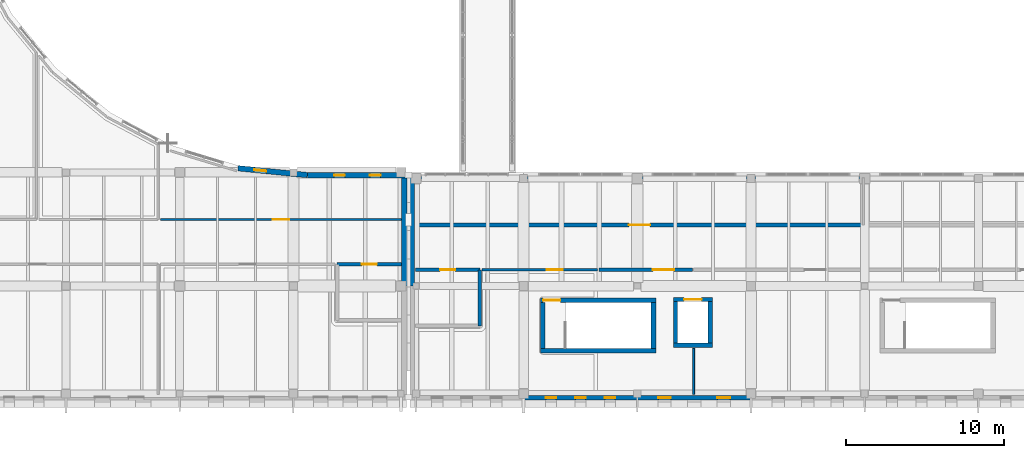
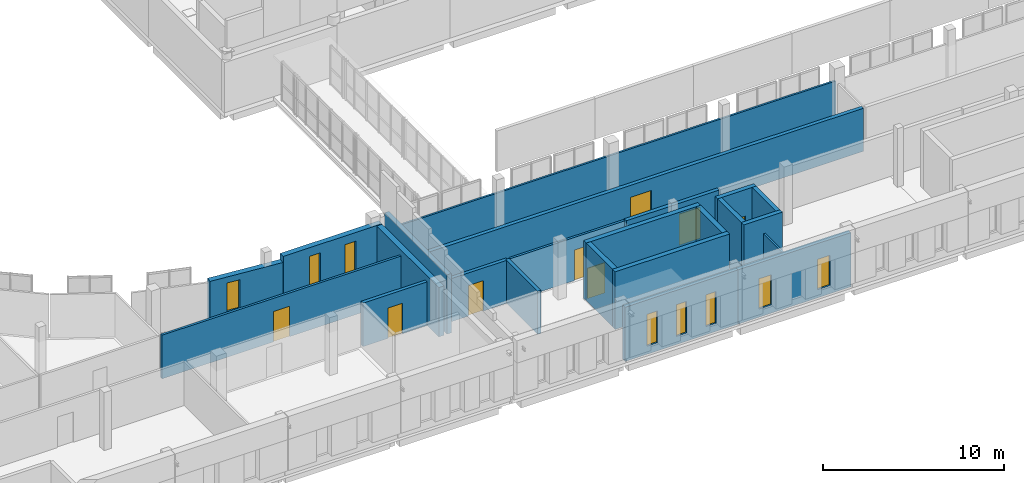
# One storey, part 51 of 76: 23 walls, 8 doors, 8 windows, 16 openings.
"""IFC4 building model written with IfcOpenShell, lengths in metres."""

from ifc_helpers import new_model, si_unit, direction, frame, frame_2d, origin, place, context, subcontext, project, spatial, rectangle, extrude, material, layer, layer_set, type_object, element, fill, save


model = new_model("IFC4")

# Units and contexts
model_context = context("Model", 3, precision=1e-05, world=origin(), true_north=direction((0.0, 1.0)))
body_context = subcontext(model_context, "Body", "Model", "MODEL_VIEW")
ifc_project = project(units=[si_unit("LENGTHUNIT", "METRE"), si_unit("AREAUNIT", "SQUARE_METRE"), si_unit("VOLUMEUNIT", "CUBIC_METRE"), si_unit("PLANEANGLEUNIT", "RADIAN"), si_unit("MASSUNIT", "GRAM", prefix="KILO")], contexts=[model_context])

# Site, building, storey
site_placement = place(None, origin())
site = spatial("IfcSite", under=ifc_project, at=site_placement, CompositionType="ELEMENT")
building_placement = place(site_placement, origin())
building = spatial("IfcBuilding", under=site, at=building_placement, Name="Vardoun Plaza Health Centre", CompositionType="ELEMENT")
storey_placement = place(building_placement, frame((0.0, 0.0, 4.5)))
storey = spatial("IfcBuildingStorey", under=building, at=storey_placement, Name="L01", CompositionType="ELEMENT", Elevation=4.5)

# Walls
ifc_material_1 = material(Name="Concrete C40/50", Category="concrete")
ifc_layer_1 = layer(ifc_material_1, 0.27001953125)
ifc_layer_set_1 = layer_set([ifc_layer_1], Name="Concrete C40/50")
wall_type_1 = type_object("IfcWallType", Name="SW-03", PredefinedType="SHEAR", material=ifc_layer_set_1)
wall_1_placement = place(storey_placement, frame((67.034912109375, 7.949951171875, 0.0), z_axis=(0.0, 0.0, 1.0), x_axis=(-1.0, 0.0, 0.0)))
element("IfcWall", 1, at=wall_1_placement, inside=storey, type_object=wall_type_1, Name="Lift LP-03 L01 Shaft Wall S", PredefinedType="SHEAR", context=body_context, shape_type="SweptSolid", body=[
    extrude(rectangle(XDim=2.469970703125, YDim=0.27001953125, at=frame_2d((1.23486328125, 0.0))), origin(), (0.0, 0.0, 1.0), 3.885009765625),
])
wall_2_placement = place(storey_placement, frame((64.699951171875, 8.0849609375, 0.0), z_axis=(0.0, 0.0, 1.0), x_axis=(0.0, 1.0, 0.0)))
element("IfcWall", 2, at=wall_2_placement, inside=storey, type_object=wall_type_1, Name="Lift LP-03 L01 Shaft Wall W", PredefinedType="SHEAR", context=body_context, shape_type="SweptSolid", body=[
    extrude(rectangle(XDim=2.630126953125, YDim=0.27001953125, at=frame_2d((1.31494140625, 0.0))), origin(), (0.0, 0.0, 1.0), 3.885009765625),
])

# Wall, opening, door
wall_3_placement = place(storey_placement, frame((64.56494140625, 10.85009765625, 0.0), z_axis=(0.0, 0.0, 1.0), x_axis=(1.0, 0.0, 0.0)))
wall_3 = element("IfcWall", 3, at=wall_3_placement, inside=storey, type_object=wall_type_1, Name="Lift LP-03 L01 Shaft Wall N", PredefinedType="SHEAR", context=body_context, shape_type="SweptSolid", body=[
    extrude(rectangle(XDim=2.469970703125, YDim=0.27001953125, at=frame_2d((1.23486328125, 0.0))), origin(), (0.0, 0.0, 1.0), 3.885009765625),
])
opening_1_placement = place(wall_3_placement, frame((0.675048828125, 0.0, 0.0)))
opening_1 = element("IfcOpeningElement", 4, at=opening_1_placement, cuts=wall_3, Name="Opening LD-LP-03-L01", PredefinedType="OPENING", context=body_context, shape_type="SweptSolid", body=[
    extrude(rectangle(XDim=1.1201171875, YDim=2.10009765625, at=frame_2d((0.56005859375, 1.050048828125))), frame((0.0, 0.135009765625, 0.0), z_axis=(0.0, -1.0, 0.0), x_axis=(1.0, 0.0, 0.0)), (0.0, 0.0, 1.0), 0.27001953125),
])
ifc_material_2 = material(Name="Brushed Stainless Steel Grade 316L", Category="steel")
door_type_1 = type_object("IfcDoorType", Name="LD-01", OperationType="DOUBLE_DOOR_SLIDING", PredefinedType="DOOR", material=ifc_material_2)
door_1_placement = place(opening_1_placement, origin())
door_1 = element("IfcDoor", 5, at=door_1_placement, inside=storey, type_object=door_type_1, Name="Lift LP-03 L01 Sliding Landing Door", OperationType="DOUBLE_DOOR_SLIDING", OverallHeight=2.10009765625, OverallWidth=1.1201171875, PredefinedType="DOOR", context=body_context, shape_type="SweptSolid", body=[
    extrude(rectangle(XDim=1.1201171875, YDim=2.10009765625, at=frame_2d((0.56005859375, 1.050048828125))), frame((0.0, 0.02490234375, 0.0), z_axis=(0.0, -1.0, 0.0), x_axis=(1.0, 0.0, 0.0)), (0.0, 0.0, 1.0), 0.050048828125),
])
fill(opening_1, door_1)

# Walls
wall_4_placement = place(storey_placement, frame((66.89990234375, 10.715087890625, 0.0), z_axis=(0.0, 0.0, 1.0), x_axis=(0.0, -1.0, 0.0)))
element("IfcWall", 6, at=wall_4_placement, inside=storey, type_object=wall_type_1, Name="Lift LP-03 L01 Shaft Wall E", PredefinedType="SHEAR", context=body_context, shape_type="SweptSolid", body=[
    extrude(rectangle(XDim=2.630126953125, YDim=0.27001953125, at=frame_2d((1.31494140625, 0.0))), origin(), (0.0, 0.0, 1.0), 3.885009765625),
])
ifc_material_3 = material(Name="Concrete C40/50", Category="concrete")
ifc_layer_2 = layer(ifc_material_3, 0.300048828125)
ifc_layer_set_2 = layer_set([ifc_layer_2], Name="Concrete C40/50")
wall_type_2 = type_object("IfcWallType", Name="SW-01", PredefinedType="SHEAR", material=ifc_layer_set_2)
wall_5_placement = place(storey_placement, frame((63.449951171875, 7.60009765625, 0.0), z_axis=(0.0, 0.0, 1.0), x_axis=(-1.0, 0.0, 0.0)))
element("IfcWall", 7, at=wall_5_placement, inside=storey, type_object=wall_type_2, Name="Core C6 L01 Shear Wall S", PredefinedType="SHEAR", context=body_context, shape_type="SweptSolid", body=[
    extrude(rectangle(XDim=7.300048828125, YDim=0.300048828125, at=frame_2d((3.64990234375, 0.0))), origin(), (0.0, 0.0, 1.0), 3.885009765625),
])
wall_6_placement = place(storey_placement, frame((56.300048828125, 7.75, 0.0), z_axis=(0.0, 0.0, 1.0), x_axis=(0.0, 1.0, 0.0)))
element("IfcWall", 8, at=wall_6_placement, inside=storey, type_object=wall_type_2, Name="Core C6 L01 Shear Wall W", PredefinedType="SHEAR", context=body_context, shape_type="SweptSolid", body=[
    extrude(rectangle(XDim=2.89990234375, YDim=0.300048828125, at=frame_2d((1.449951171875, 0.0))), origin(), (0.0, 0.0, 1.0), 3.885009765625),
])

# Wall, opening, door
wall_7_placement = place(storey_placement, frame((56.14990234375, 10.800048828125, 0.0), z_axis=(0.0, 0.0, 1.0), x_axis=(1.0, 0.0, 0.0)))
wall_7 = element("IfcWall", 9, at=wall_7_placement, inside=storey, type_object=wall_type_2, Name="Core C6 L01 Shear Wall N", PredefinedType="SHEAR", context=body_context, shape_type="SweptSolid", body=[
    extrude(rectangle(XDim=7.300048828125, YDim=0.300048828125, at=frame_2d((3.64990234375, 0.0))), origin(), (0.0, 0.0, 1.0), 3.885009765625),
])
opening_2_placement = place(wall_7_placement, frame((0.159912109375, 0.0, 0.0)))
opening_2 = element("IfcOpeningElement", 10, at=opening_2_placement, cuts=wall_7, Name="Opening SD-C6-L01", PredefinedType="OPENING", context=body_context, shape_type="SweptSolid", body=[
    extrude(rectangle(XDim=1.10009765625, YDim=2.050048828125, at=frame_2d((0.550048828125, 1.02490234375))), frame((0.0, 0.14990234375, 0.0), z_axis=(0.0, -1.0, 0.0), x_axis=(1.0, 0.0, 0.0)), (0.0, 0.0, 1.0), 0.300048828125),
])
ifc_material_4 = material(Name="Brushed Stainless Steel Grade 316L", Category="steel")
door_type_2 = type_object("IfcDoorType", Name="FD-01", OperationType="NOTDEFINED", PredefinedType="DOOR", material=ifc_material_4)
door_2_placement = place(opening_2_placement, origin())
door_2 = element("IfcDoor", 11, at=door_2_placement, inside=storey, type_object=door_type_2, Name="Stair C6 L01 Fire Door", OperationType="SINGLE_SWING_RIGHT", OverallHeight=2.050048828125, OverallWidth=1.10009765625, PredefinedType="DOOR", context=body_context, shape_type="SweptSolid", body=[
    extrude(rectangle(XDim=1.10009765625, YDim=2.050048828125, at=frame_2d((0.550048828125, 1.02490234375))), frame((0.0, 0.02490234375, 0.0), z_axis=(0.0, -1.0, 0.0), x_axis=(1.0, 0.0, 0.0)), (0.0, 0.0, 1.0), 0.050048828125),
])
fill(opening_2, door_2)

# Wall
wall_8_placement = place(storey_placement, frame((63.300048828125, 10.64990234375, 0.0), z_axis=(0.0, 0.0, 1.0), x_axis=(0.0, -1.0, 0.0)))
element("IfcWall", 12, at=wall_8_placement, inside=storey, type_object=wall_type_2, Name="Core C6 L01 Shear Wall E", PredefinedType="SHEAR", context=body_context, shape_type="SweptSolid", body=[
    extrude(rectangle(XDim=2.89990234375, YDim=0.300048828125, at=frame_2d((1.449951171875, 0.0))), origin(), (0.0, 0.0, 1.0), 3.885009765625),
])

# Wall, openings, windows
ifc_material_5 = material(Name="Pale Limestone Concrete C35/45", Category="masonry")
ifc_layer_3 = layer(ifc_material_5, 0.280029296875)
ifc_layer_set_3 = layer_set([ifc_layer_3], Name="Pale Limestone Concrete C35/45")
wall_type_3 = type_object("IfcWallType", Name="EW-05", PredefinedType="STANDARD", material=ifc_layer_set_3)
wall_9_placement = place(storey_placement, frame((69.47998046875, 4.639892578125, 0.0), z_axis=(0.0, 0.0, 1.0), x_axis=(-1.0, 0.0, 0.0)))
wall_9 = element("IfcWall", 13, at=wall_9_placement, inside=storey, type_object=wall_type_3, Name="V4 L01 Exterior Wall EW-V4-343", PredefinedType="STANDARD", context=body_context, shape_type="SweptSolid", body=[
    extrude(rectangle(XDim=7.199951171875, YDim=0.280029296875, at=frame_2d((3.60009765625, 0.0))), origin(), (0.0, 0.0, 1.0), 3.65576171875),
])
opening_3_placement = place(wall_9_placement, frame((1.327880859375, 0.0, 0.550048828125)))
opening_3 = element("IfcOpeningElement", 14, at=opening_3_placement, cuts=wall_9, Name="Opening W-24-007", PredefinedType="OPENING", context=body_context, shape_type="SweptSolid", body=[
    extrude(rectangle(XDim=0.800048828125, YDim=2.0400390625, at=frame_2d((0.39990234375, 1.02001953125))), frame((0.0, 0.14013671875, 0.0), z_axis=(0.0, -1.0, 0.0), x_axis=(1.0, 0.0, 0.0)), (0.0, 0.0, 1.0), 0.280029296875),
])
opening_4_placement = place(wall_9_placement, frame((5.072021484375, 0.0, 0.550048828125)))
opening_4 = element("IfcOpeningElement", 15, at=opening_4_placement, cuts=wall_9, Name="Opening W-24-008", PredefinedType="OPENING", context=body_context, shape_type="SweptSolid", body=[
    extrude(rectangle(XDim=0.800048828125, YDim=2.0400390625, at=frame_2d((0.39990234375, 1.02001953125))), frame((0.0, 0.14013671875, 0.0), z_axis=(0.0, -1.0, 0.0), x_axis=(1.0, 0.0, 0.0)), (0.0, 0.0, 1.0), 0.280029296875),
])
ifc_material_6 = material(Name="Aluminium Alloy EN AW-6063-T6 and Low-E Glass", Category="aluminium")
window_type_1 = type_object("IfcWindowType", Name="W-24", PartitioningType="SINGLE_PANEL", PredefinedType="WINDOW", material=ifc_material_6)
window_1_placement = place(opening_3_placement, origin())
window_1 = element("IfcWindow", 16, at=window_1_placement, inside=storey, type_object=window_type_1, Name="V4 L01 Deep-Punched Slot Window W-24-536", OverallHeight=2.0400390625, OverallWidth=0.800048828125, PartitioningType="SINGLE_PANEL", PredefinedType="WINDOW", context=body_context, shape_type="SweptSolid", body=[
    extrude(rectangle(XDim=0.800048828125, YDim=2.0400390625, at=frame_2d((0.39990234375, 1.02001953125))), frame((0.0, 0.030029296875, 0.0), z_axis=(0.0, -1.0, 0.0), x_axis=(1.0, 0.0, 0.0)), (0.0, 0.0, 1.0), 0.06005859375),
])
fill(opening_3, window_1)
window_2_placement = place(opening_4_placement, origin())
window_2 = element("IfcWindow", 17, at=window_2_placement, inside=storey, type_object=window_type_1, Name="V4 L01 Deep-Punched Slot Window W-24-538", OverallHeight=2.0400390625, OverallWidth=0.800048828125, PartitioningType="SINGLE_PANEL", PredefinedType="WINDOW", context=body_context, shape_type="SweptSolid", body=[
    extrude(rectangle(XDim=0.800048828125, YDim=2.0400390625, at=frame_2d((0.39990234375, 1.02001953125))), frame((0.0, 0.030029296875, 0.0), z_axis=(0.0, -1.0, 0.0), x_axis=(1.0, 0.0, 0.0)), (0.0, 0.0, 1.0), 0.06005859375),
])
fill(opening_4, window_2)

wall_10_placement = place(storey_placement, frame((62.280029296875, 4.639892578125, 0.0), z_axis=(0.0, 0.0, 1.0), x_axis=(-1.0, 0.0, 0.0)))
wall_10 = element("IfcWall", 18, at=wall_10_placement, inside=storey, type_object=wall_type_3, Name="V4 L01 Exterior Wall EW-V4-344", PredefinedType="STANDARD", context=body_context, shape_type="SweptSolid", body=[
    extrude(rectangle(XDim=7.199951171875, YDim=0.280029296875, at=frame_2d((3.60009765625, 0.0))), origin(), (0.0, 0.0, 1.0), 3.65576171875),
])
opening_5_placement = place(wall_10_placement, frame((1.403076171875, 0.0, 0.550048828125)))
opening_5 = element("IfcOpeningElement", 19, at=opening_5_placement, cuts=wall_10, Name="Opening W-31-013", PredefinedType="OPENING", context=body_context, shape_type="SweptSolid", body=[
    extrude(rectangle(XDim=0.64990234375, YDim=2.139892578125, at=frame_2d((0.324951171875, 1.06982421875))), frame((0.0, 0.14013671875, 0.0), z_axis=(0.0, -1.0, 0.0), x_axis=(1.0, 0.0, 0.0)), (0.0, 0.0, 1.0), 0.280029296875),
])
opening_6_placement = place(wall_10_placement, frame((3.27490234375, 0.0, 0.550048828125)))
opening_6 = element("IfcOpeningElement", 20, at=opening_6_placement, cuts=wall_10, Name="Opening W-31-014", PredefinedType="OPENING", context=body_context, shape_type="SweptSolid", body=[
    extrude(rectangle(XDim=0.64990234375, YDim=2.139892578125, at=frame_2d((0.324951171875, 1.06982421875))), frame((0.0, 0.14013671875, 0.0), z_axis=(0.0, -1.0, 0.0), x_axis=(1.0, 0.0, 0.0)), (0.0, 0.0, 1.0), 0.280029296875),
])
opening_7_placement = place(wall_10_placement, frame((5.14697265625, 0.0, 0.550048828125)))
opening_7 = element("IfcOpeningElement", 21, at=opening_7_placement, cuts=wall_10, Name="Opening W-31-015", PredefinedType="OPENING", context=body_context, shape_type="SweptSolid", body=[
    extrude(rectangle(XDim=0.64990234375, YDim=2.139892578125, at=frame_2d((0.324951171875, 1.06982421875))), frame((0.0, 0.14013671875, 0.0), z_axis=(0.0, -1.0, 0.0), x_axis=(1.0, 0.0, 0.0)), (0.0, 0.0, 1.0), 0.280029296875),
])
ifc_material_7 = material(Name="Aluminium Alloy EN AW-6063-T6 and Low-E Glass", Category="aluminium")
window_type_2 = type_object("IfcWindowType", Name="W-31", PartitioningType="SINGLE_PANEL", PredefinedType="WINDOW", material=ifc_material_7)
window_3_placement = place(opening_5_placement, origin())
window_3 = element("IfcWindow", 22, at=window_3_placement, inside=storey, type_object=window_type_2, Name="V4 L01 Deep-Punched Slot Window W-31-539", OverallHeight=2.139892578125, OverallWidth=0.64990234375, PartitioningType="SINGLE_PANEL", PredefinedType="WINDOW", context=body_context, shape_type="SweptSolid", body=[
    extrude(rectangle(XDim=0.64990234375, YDim=2.139892578125, at=frame_2d((0.324951171875, 1.06982421875))), frame((0.0, 0.030029296875, 0.0), z_axis=(0.0, -1.0, 0.0), x_axis=(1.0, 0.0, 0.0)), (0.0, 0.0, 1.0), 0.06005859375),
])
fill(opening_5, window_3)
window_4_placement = place(opening_6_placement, origin())
window_4 = element("IfcWindow", 23, at=window_4_placement, inside=storey, type_object=window_type_2, Name="V4 L01 Deep-Punched Slot Window W-31-540", OverallHeight=2.139892578125, OverallWidth=0.64990234375, PartitioningType="SINGLE_PANEL", PredefinedType="WINDOW", context=body_context, shape_type="SweptSolid", body=[
    extrude(rectangle(XDim=0.64990234375, YDim=2.139892578125, at=frame_2d((0.324951171875, 1.06982421875))), frame((0.0, 0.030029296875, 0.0), z_axis=(0.0, -1.0, 0.0), x_axis=(1.0, 0.0, 0.0)), (0.0, 0.0, 1.0), 0.06005859375),
])
fill(opening_6, window_4)
window_5_placement = place(opening_7_placement, origin())
window_5 = element("IfcWindow", 24, at=window_5_placement, inside=storey, type_object=window_type_2, Name="V4 L01 Deep-Punched Slot Window W-31-541", OverallHeight=2.139892578125, OverallWidth=0.64990234375, PartitioningType="SINGLE_PANEL", PredefinedType="WINDOW", context=body_context, shape_type="SweptSolid", body=[
    extrude(rectangle(XDim=0.64990234375, YDim=2.139892578125, at=frame_2d((0.324951171875, 1.06982421875))), frame((0.0, 0.030029296875, 0.0), z_axis=(0.0, -1.0, 0.0), x_axis=(1.0, 0.0, 0.0)), (0.0, 0.0, 1.0), 0.06005859375),
])
fill(opening_7, window_5)

# Wall
wall_11_placement = place(storey_placement, frame((48.02001953125, 11.699951171875, 0.0), z_axis=(0.0, 0.0, 1.0), x_axis=(0.0, 1.0, 0.0)))
element("IfcWall", 25, at=wall_11_placement, inside=storey, type_object=wall_type_3, Name="V4 L01 Exterior Wall EW-V4-347", PredefinedType="STANDARD", context=body_context, shape_type="SweptSolid", body=[
    extrude(rectangle(XDim=6.920166015625, YDim=0.280029296875, at=frame_2d((3.4599609375, 0.0))), origin(), (0.0, 0.0, 1.0), 3.9951171875),
])

# Wall, opening, window
ifc_material_8 = material(Name="Pale Limestone Concrete C35/45", Category="masonry")
ifc_layer_4 = layer(ifc_material_8, 0.344970703125)
ifc_layer_set_4 = layer_set([ifc_layer_4], Name="Pale Limestone Concrete C35/45")
wall_type_4 = type_object("IfcWallType", Name="EW-01", PredefinedType="SOLIDWALL", material=ifc_layer_set_4)
wall_12_placement = place(storey_placement, frame((36.99365234375, 19.16064453125, 0.0), z_axis=(0.0, 0.0, 1.0), x_axis=(0.995183522218, -0.098029368588, 0.0)))
wall_12 = element("IfcWall", 26, at=wall_12_placement, inside=storey, type_object=wall_type_4, Name="V2 L01 Exterior Wall EW-V2-107", PredefinedType="SOLIDWALL", context=body_context, shape_type="SweptSolid", body=[
    extrude(rectangle(XDim=4.41064453125, YDim=0.344970703125, at=frame_2d((2.205322265625, 0.0))), origin(), (0.0, 0.0, 1.0), 2.955078125),
])
opening_8_placement = place(wall_12_placement, frame((1.021484375, 0.0, 0.60009765625)))
opening_8 = element("IfcOpeningElement", 27, at=opening_8_placement, cuts=wall_12, Name="Opening W-30-007", PredefinedType="OPENING", context=body_context, shape_type="SweptSolid", body=[
    extrude(rectangle(XDim=0.780029296875, YDim=1.949951171875, at=frame_2d((0.39013671875, 0.97509765625))), frame((0.0, 0.17236328125, 0.0), z_axis=(0.0, -1.0, 0.0), x_axis=(1.0, 0.0, 0.0)), (0.0, 0.0, 1.0), 0.344970703125),
])
ifc_material_9 = material(Name="Aluminium Alloy EN AW-6063-T6 and Low-E Glass", Category="aluminium")
window_type_3 = type_object("IfcWindowType", Name="W-30", PartitioningType="SINGLE_PANEL", PredefinedType="WINDOW", material=ifc_material_9)
window_6_placement = place(opening_8_placement, origin())
window_6 = element("IfcWindow", 28, at=window_6_placement, inside=storey, type_object=window_type_3, Name="V2 L01 Deep-Punched Slot Window W-30-063", OverallHeight=1.949951171875, OverallWidth=0.780029296875, PartitioningType="SINGLE_PANEL", PredefinedType="WINDOW", context=body_context, shape_type="SweptSolid", body=[
    extrude(rectangle(XDim=0.780029296875, YDim=1.949951171875, at=frame_2d((0.39013671875, 0.97509765625))), frame((0.0, 0.030029296875, 0.0), z_axis=(0.0, -1.0, 0.0), x_axis=(1.0, 0.0, 0.0)), (0.0, 0.0, 1.0), 0.06005859375),
])
fill(opening_8, window_6)

# Wall, openings, windows
wall_13_placement = place(storey_placement, frame((41.39990234375, 18.7275390625, 0.0), z_axis=(0.0, 0.0, 1.0), x_axis=(1.0, 0.0, 0.0)))
wall_13 = element("IfcWall", 29, at=wall_13_placement, inside=storey, type_object=wall_type_4, Name="V2 L01 Exterior Wall EW-V2-108", PredefinedType="SOLIDWALL", context=body_context, shape_type="SweptSolid", body=[
    extrude(rectangle(XDim=6.300048828125, YDim=0.344970703125, at=frame_2d((3.14990234375, 0.0))), origin(), (0.0, 0.0, 1.0), 3.35498046875),
])
opening_9_placement = place(wall_13_placement, frame((1.676025390625, 0.0, 0.550048828125)))
opening_9 = element("IfcOpeningElement", 30, at=opening_9_placement, cuts=wall_13, Name="Opening W-13-001", PredefinedType="OPENING", context=body_context, shape_type="SweptSolid", body=[
    extrude(rectangle(XDim=0.679931640625, YDim=2.219970703125, at=frame_2d((0.33984375, 1.10986328125))), frame((0.0, 0.17236328125, 0.0), z_axis=(0.0, -1.0, 0.0), x_axis=(1.0, 0.0, 0.0)), (0.0, 0.0, 1.0), 0.344970703125),
])
opening_10_placement = place(wall_13_placement, frame((3.944091796875, 0.0, 0.550048828125)))
opening_10 = element("IfcOpeningElement", 31, at=opening_10_placement, cuts=wall_13, Name="Opening W-13-002", PredefinedType="OPENING", context=body_context, shape_type="SweptSolid", body=[
    extrude(rectangle(XDim=0.679931640625, YDim=2.219970703125, at=frame_2d((0.33984375, 1.10986328125))), frame((0.0, 0.17236328125, 0.0), z_axis=(0.0, -1.0, 0.0), x_axis=(1.0, 0.0, 0.0)), (0.0, 0.0, 1.0), 0.344970703125),
])
ifc_material_10 = material(Name="Aluminium Alloy EN AW-6063-T6 and Low-E Glass", Category="aluminium")
window_type_4 = type_object("IfcWindowType", Name="W-13", PartitioningType="SINGLE_PANEL", PredefinedType="WINDOW", material=ifc_material_10)
window_7_placement = place(opening_9_placement, origin())
window_7 = element("IfcWindow", 32, at=window_7_placement, inside=storey, type_object=window_type_4, Name="V2 L01 Deep-Punched Slot Window W-13-064", OverallHeight=2.219970703125, OverallWidth=0.679931640625, PartitioningType="SINGLE_PANEL", PredefinedType="WINDOW", context=body_context, shape_type="SweptSolid", body=[
    extrude(rectangle(XDim=0.679931640625, YDim=2.219970703125, at=frame_2d((0.33984375, 1.10986328125))), frame((0.0, 0.030029296875, 0.0), z_axis=(0.0, -1.0, 0.0), x_axis=(1.0, 0.0, 0.0)), (0.0, 0.0, 1.0), 0.06005859375),
])
fill(opening_9, window_7)
window_8_placement = place(opening_10_placement, origin())
window_8 = element("IfcWindow", 33, at=window_8_placement, inside=storey, type_object=window_type_4, Name="V2 L01 Deep-Punched Slot Window W-13-065", OverallHeight=2.219970703125, OverallWidth=0.679931640625, PartitioningType="SINGLE_PANEL", PredefinedType="WINDOW", context=body_context, shape_type="SweptSolid", body=[
    extrude(rectangle(XDim=0.679931640625, YDim=2.219970703125, at=frame_2d((0.33984375, 1.10986328125))), frame((0.0, 0.030029296875, 0.0), z_axis=(0.0, -1.0, 0.0), x_axis=(1.0, 0.0, 0.0)), (0.0, 0.0, 1.0), 0.06005859375),
])
fill(opening_10, window_8)

# Wall
wall_14_placement = place(storey_placement, frame((47.527587890625, 18.554931640625, 0.0), z_axis=(0.0, 0.0, 1.0), x_axis=(0.0, -1.0, 0.0)))
element("IfcWall", 34, at=wall_14_placement, inside=storey, type_object=wall_type_4, Name="V2 L01 Exterior Wall EW-V2-109", PredefinedType="SOLIDWALL", context=body_context, shape_type="SweptSolid", body=[
    extrude(rectangle(XDim=6.85498046875, YDim=0.344970703125, at=frame_2d((3.427490234375, 0.0))), origin(), (0.0, 0.0, 1.0), 3.324951171875),
])

# Wall, opening, door
ifc_material_11 = material(Name="Acoustic Gypsum Twin-Stud", Category="steel")
ifc_layer_5 = layer(ifc_material_11, 0.14990234375)
ifc_layer_set_5 = layer_set([ifc_layer_5], Name="Acoustic Gypsum Twin-Stud")
wall_type_5 = type_object("IfcWallType", Name="IW-04", PredefinedType="PARTITIONING", material=ifc_layer_set_5)
wall_15_placement = place(storey_placement, frame((47.35009765625, 15.919921875, 0.0), z_axis=(0.0, 0.0, 1.0), x_axis=(-1.0, 0.0, 0.0)))
wall_15 = element("IfcWall", 35, at=wall_15_placement, inside=storey, type_object=wall_type_5, Name="Outpatient Waiting Lounge L01 Partition Wall", PredefinedType="PARTITIONING", context=body_context, shape_type="SweptSolid", body=[
    extrude(rectangle(XDim=15.260009765625, YDim=0.14990234375, at=frame_2d((7.6298828125, 0.0))), origin(), (0.0, 0.0, 1.0), 2.93994140625),
])
opening_11_placement = place(wall_15_placement, frame((7.110107421875, 0.0, 0.0)))
opening_11 = element("IfcOpeningElement", 36, at=opening_11_placement, cuts=wall_15, Name="Opening D-L01-043", PredefinedType="OPENING", context=body_context, shape_type="SweptSolid", body=[
    extrude(rectangle(XDim=1.0400390625, YDim=2.050048828125, at=frame_2d((0.52001953125, 1.02490234375))), frame((0.0, 0.074951171875, 0.0), z_axis=(0.0, -1.0, 0.0), x_axis=(1.0, 0.0, 0.0)), (0.0, 0.0, 1.0), 0.14990234375),
])
ifc_material_12 = material(Name="Antimicrobial Acoustic Timber and Steel S275JR", Category="steel")
door_type_3 = type_object("IfcDoorType", Name="CD-04", OperationType="NOTDEFINED", PredefinedType="DOOR", material=ifc_material_12)
door_3_placement = place(opening_11_placement, origin())
door_3 = element("IfcDoor", 37, at=door_3_placement, inside=storey, type_object=door_type_3, Name="Outpatient Waiting Lounge L01 Door D-L01-043", OperationType="SINGLE_SWING_LEFT", OverallHeight=2.050048828125, OverallWidth=1.0400390625, PredefinedType="DOOR", context=body_context, shape_type="SweptSolid", body=[
    extrude(rectangle(XDim=1.0400390625, YDim=2.050048828125, at=frame_2d((0.52001953125, 1.02490234375))), frame((0.0, 0.02490234375, 0.0), z_axis=(0.0, -1.0, 0.0), x_axis=(1.0, 0.0, 0.0)), (0.0, 0.0, 1.0), 0.050048828125),
])
fill(opening_11, door_3)

wall_16_placement = place(storey_placement, frame((52.45361328125, 12.72998046875, 0.0), z_axis=(0.0, 0.0, 1.0), x_axis=(1.0, 0.0, 0.0)))
wall_16 = element("IfcWall", 38, at=wall_16_placement, inside=storey, type_object=wall_type_5, Name="Laboratory Waiting Area Partition Wall", PredefinedType="PARTITIONING", context=body_context, shape_type="SweptSolid", body=[
    extrude(rectangle(XDim=7.306396484375, YDim=0.14990234375, at=frame_2d((3.6533203125, 0.0))), origin(), (0.0, 0.0, 1.0), 2.905029296875),
])
opening_12_placement = place(wall_16_placement, frame((4.09912109375, 0.0, 0.0)))
opening_12 = element("IfcOpeningElement", 39, at=opening_12_placement, cuts=wall_16, Name="Opening D-L01-129", PredefinedType="OPENING", context=body_context, shape_type="SweptSolid", body=[
    extrude(rectangle(XDim=1.0, YDim=2.050048828125, at=frame_2d((0.5, 1.02490234375))), frame((0.0, 0.074951171875, 0.0), z_axis=(0.0, -1.0, 0.0), x_axis=(1.0, 0.0, 0.0)), (0.0, 0.0, 1.0), 0.14990234375),
])
ifc_material_13 = material(Name="Antimicrobial Acoustic Timber and Steel S275JR", Category="steel")
door_type_4 = type_object("IfcDoorType", Name="CD-03", OperationType="NOTDEFINED", PredefinedType="DOOR", material=ifc_material_13)
door_4_placement = place(opening_12_placement, origin())
door_4 = element("IfcDoor", 40, at=door_4_placement, inside=storey, type_object=door_type_4, Name="Laboratory Waiting Area Door D-L01-129", OperationType="SINGLE_SWING_RIGHT", OverallHeight=2.050048828125, OverallWidth=1.0, PredefinedType="DOOR", context=body_context, shape_type="SweptSolid", body=[
    extrude(rectangle(XDim=1.0, YDim=2.050048828125, at=frame_2d((0.5, 1.02490234375))), frame((0.0, 0.02490234375, 0.0), z_axis=(0.0, -1.0, 0.0), x_axis=(1.0, 0.0, 0.0)), (0.0, 0.0, 1.0), 0.050048828125),
])
fill(opening_12, door_4)

# Walls
ifc_material_14 = material(Name="Standard Clinical Sub-Partition", Category="steel")
ifc_layer_6 = layer(ifc_material_14, 0.125)
ifc_layer_set_6 = layer_set([ifc_layer_6], Name="Standard Clinical Sub-Partition")
wall_type_6 = type_object("IfcWallType", Name="IW-11", PredefinedType="PARTITIONING", material=ifc_layer_set_6)
wall_17_placement = place(storey_placement, frame((65.840087890625, 4.85009765625, 0.0), z_axis=(0.0, 0.0, 1.0), x_axis=(0.0, 1.0, 0.0)))
element("IfcWall", 41, at=wall_17_placement, inside=storey, type_object=wall_type_6, Name="Clinical Pathology Laboratory Enclosure Partition", PredefinedType="PARTITIONING", context=body_context, shape_type="SweptSolid", body=[
    extrude(rectangle(XDim=2.89990234375, YDim=0.125, at=frame_2d((1.449951171875, 0.0))), origin(), (0.0, 0.0, 1.0), 2.905029296875),
])
wall_18_placement = place(storey_placement, frame((48.22998046875, 18.550048828125, 0.0), z_axis=(0.0, 0.0, 1.0), x_axis=(1.0, 0.0, 0.0)))
element("IfcWall", 42, at=wall_18_placement, inside=storey, type_object=wall_type_6, Name="Microbiology Specimen Room Enclosure Partition", PredefinedType="PARTITIONING", context=body_context, shape_type="SweptSolid", body=[
    extrude(rectangle(XDim=28.3701171875, YDim=0.125, at=frame_2d((14.18505859375, 0.0))), origin(), (0.0, 0.0, 1.0), 2.905029296875),
])

# Wall, opening, door
ifc_material_15 = material(Name="Moisture-Resistant Plumbing Chase", Category="steel")
ifc_layer_7 = layer(ifc_material_15, 0.215087890625)
ifc_layer_set_7 = layer_set([ifc_layer_7], Name="Moisture-Resistant Plumbing Chase")
wall_type_7 = type_object("IfcWallType", Name="IW-06", PredefinedType="PLUMBINGWALL", material=ifc_layer_set_7)
wall_19_placement = place(storey_placement, frame((43.2666015625, 13.080078125, 0.0), z_axis=(0.0, 0.0, 1.0), x_axis=(1.0, 0.0, 0.0)))
wall_19 = element("IfcWall", 43, at=wall_19_placement, inside=storey, type_object=wall_type_7, Name="Staff WC L01-V2 Partition Wall", PredefinedType="PLUMBINGWALL", context=body_context, shape_type="SweptSolid", body=[
    extrude(rectangle(XDim=4.08349609375, YDim=0.215087890625, at=frame_2d((2.041748046875, 0.0))), origin(), (0.0, 0.0, 1.0), 2.93994140625),
])
opening_13_placement = place(wall_19_placement, frame((1.56689453125, 0.0, 0.0)))
opening_13 = element("IfcOpeningElement", 44, at=opening_13_placement, cuts=wall_19, Name="Opening D-L01-035", PredefinedType="OPENING", context=body_context, shape_type="SweptSolid", body=[
    extrude(rectangle(XDim=0.949951171875, YDim=2.050048828125, at=frame_2d((0.47509765625, 1.02490234375))), frame((0.0, 0.107421875, 0.0), z_axis=(0.0, -1.0, 0.0), x_axis=(1.0, 0.0, 0.0)), (0.0, 0.0, 1.0), 0.215087890625),
])
ifc_material_16 = material(Name="Antimicrobial Acoustic Timber and Steel S275JR", Category="steel")
door_type_5 = type_object("IfcDoorType", Name="CD-07", OperationType="NOTDEFINED", PredefinedType="DOOR", material=ifc_material_16)
door_5_placement = place(opening_13_placement, origin())
door_5 = element("IfcDoor", 45, at=door_5_placement, inside=storey, type_object=door_type_5, Name="Staff WC L01-V2 Door D-L01-035", OperationType="SINGLE_SWING_LEFT", OverallHeight=2.050048828125, OverallWidth=0.949951171875, PredefinedType="DOOR", context=body_context, shape_type="SweptSolid", body=[
    extrude(rectangle(XDim=0.949951171875, YDim=2.050048828125, at=frame_2d((0.47509765625, 1.02490234375))), frame((0.0, 0.02490234375, 0.0), z_axis=(0.0, -1.0, 0.0), x_axis=(1.0, 0.0, 0.0)), (0.0, 0.0, 1.0), 0.050048828125),
])
fill(opening_13, door_5)

wall_20_placement = place(storey_placement, frame((48.22998046875, 12.72998046875, 0.0), z_axis=(0.0, 0.0, 1.0), x_axis=(1.0, 0.0, 0.0)))
wall_20 = element("IfcWall", 46, at=wall_20_placement, inside=storey, type_object=wall_type_7, Name="Accessible WC L01-V4 Partition Wall", PredefinedType="PLUMBINGWALL", context=body_context, shape_type="SweptSolid", body=[
    extrude(rectangle(XDim=4.08349609375, YDim=0.215087890625, at=frame_2d((2.041748046875, 0.0))), origin(), (0.0, 0.0, 1.0), 2.905029296875),
])
opening_14_placement = place(wall_20_placement, frame((1.56689453125, 0.0, 0.0)))
opening_14 = element("IfcOpeningElement", 47, at=opening_14_placement, cuts=wall_20, Name="Opening D-L01-123", PredefinedType="OPENING", context=body_context, shape_type="SweptSolid", body=[
    extrude(rectangle(XDim=0.949951171875, YDim=2.050048828125, at=frame_2d((0.47509765625, 1.02490234375))), frame((0.0, 0.107421875, 0.0), z_axis=(0.0, -1.0, 0.0), x_axis=(1.0, 0.0, 0.0)), (0.0, 0.0, 1.0), 0.215087890625),
])
door_6_placement = place(opening_14_placement, origin())
door_6 = element("IfcDoor", 48, at=door_6_placement, inside=storey, type_object=door_type_5, Name="Accessible WC L01-V4 Door D-L01-123", OperationType="SINGLE_SWING_RIGHT", OverallHeight=2.050048828125, OverallWidth=0.949951171875, PredefinedType="DOOR", context=body_context, shape_type="SweptSolid", body=[
    extrude(rectangle(XDim=0.949951171875, YDim=2.050048828125, at=frame_2d((0.47509765625, 1.02490234375))), frame((0.0, 0.02490234375, 0.0), z_axis=(0.0, -1.0, 0.0), x_axis=(1.0, 0.0, 0.0)), (0.0, 0.0, 1.0), 0.050048828125),
])
fill(opening_14, door_6)

# Wall
wall_21_placement = place(storey_placement, frame((52.3134765625, 12.72998046875, 0.0), z_axis=(0.0, 0.0, 1.0), x_axis=(0.0, -1.0, 0.0)))
element("IfcWall", 49, at=wall_21_placement, inside=storey, type_object=wall_type_7, Name="Accessible WC L01-V4 Enclosure Partition", PredefinedType="PLUMBINGWALL", context=body_context, shape_type="SweptSolid", body=[
    extrude(rectangle(XDim=3.55078125, YDim=0.215087890625, at=frame_2d((1.775390625, 0.0))), origin(), (0.0, 0.0, 1.0), 2.905029296875),
])

# Wall, opening, door
ifc_material_17 = material(Name="Lead-Lined Concrete C35/45", Category="concrete")
ifc_layer_8 = layer(ifc_material_17, 0.239990234375)
ifc_layer_set_8 = layer_set([ifc_layer_8], Name="Lead-Lined Concrete C35/45")
wall_type_8 = type_object("IfcWallType", Name="IW-03", PredefinedType="SOLIDWALL", material=ifc_layer_set_8)
wall_22_placement = place(storey_placement, frame((76.60009765625, 15.570068359375, 0.0), z_axis=(0.0, 0.0, 1.0), x_axis=(-1.0, 0.0, 0.0)))
wall_22 = element("IfcWall", 50, at=wall_22_placement, inside=storey, type_object=wall_type_8, Name="Microbiology Specimen Room Partition Wall", PredefinedType="SOLIDWALL", context=body_context, shape_type="SweptSolid", body=[
    extrude(rectangle(XDim=28.3701171875, YDim=0.239990234375, at=frame_2d((14.18505859375, 0.0))), origin(), (0.0, 0.0, 1.0), 2.905029296875),
])
opening_15_placement = place(wall_22_placement, frame((13.510009765625, 0.0, 0.0)))
opening_15 = element("IfcOpeningElement", 51, at=opening_15_placement, cuts=wall_22, Name="Opening D-L01-126", PredefinedType="OPENING", context=body_context, shape_type="SweptSolid", body=[
    extrude(rectangle(XDim=1.35009765625, YDim=2.10009765625, at=frame_2d((0.675048828125, 1.050048828125))), frame((0.0, 0.1201171875, 0.0), z_axis=(0.0, -1.0, 0.0), x_axis=(1.0, 0.0, 0.0)), (0.0, 0.0, 1.0), 0.239990234375),
])
ifc_material_18 = material(Name="Antimicrobial Acoustic Timber and Steel S275JR", Category="steel")
door_type_6 = type_object("IfcDoorType", Name="CD-02", OperationType="NOTDEFINED", PredefinedType="DOOR", material=ifc_material_18)
door_7_placement = place(opening_15_placement, origin())
door_7 = element("IfcDoor", 52, at=door_7_placement, inside=storey, type_object=door_type_6, Name="Microbiology Specimen Room Door D-L01-126", OperationType="SINGLE_SWING_RIGHT", OverallHeight=2.10009765625, OverallWidth=1.35009765625, PredefinedType="DOOR", context=body_context, shape_type="SweptSolid", body=[
    extrude(rectangle(XDim=1.35009765625, YDim=2.10009765625, at=frame_2d((0.675048828125, 1.050048828125))), frame((0.0, 0.02490234375, 0.0), z_axis=(0.0, -1.0, 0.0), x_axis=(1.0, 0.0, 0.0)), (0.0, 0.0, 1.0), 0.050048828125),
])
fill(opening_15, door_7)

wall_23_placement = place(storey_placement, frame((59.840087890625, 12.72998046875, 0.0), z_axis=(0.0, 0.0, 1.0), x_axis=(1.0, 0.0, 0.0)))
wall_23 = element("IfcWall", 53, at=wall_23_placement, inside=storey, type_object=wall_type_8, Name="Clinical Pathology Laboratory A Partition Wall", PredefinedType="SOLIDWALL", context=body_context, shape_type="SweptSolid", body=[
    extrude(rectangle(XDim=5.919921875, YDim=0.239990234375, at=frame_2d((2.9599609375, 0.0))), origin(), (0.0, 0.0, 1.0), 2.905029296875),
])
opening_16_placement = place(wall_23_placement, frame((3.427490234375, 0.0, 0.0)))
opening_16 = element("IfcOpeningElement", 54, at=opening_16_placement, cuts=wall_23, Name="Opening D-L01-130", PredefinedType="OPENING", context=body_context, shape_type="SweptSolid", body=[
    extrude(rectangle(XDim=1.35009765625, YDim=2.10009765625, at=frame_2d((0.675048828125, 1.050048828125))), frame((0.0, 0.1201171875, 0.0), z_axis=(0.0, -1.0, 0.0), x_axis=(1.0, 0.0, 0.0)), (0.0, 0.0, 1.0), 0.239990234375),
])
door_8_placement = place(opening_16_placement, origin())
door_8 = element("IfcDoor", 55, at=door_8_placement, inside=storey, type_object=door_type_6, Name="Clinical Pathology Laboratory A Door D-L01-130", OperationType="SINGLE_SWING_RIGHT", OverallHeight=2.10009765625, OverallWidth=1.35009765625, PredefinedType="DOOR", context=body_context, shape_type="SweptSolid", body=[
    extrude(rectangle(XDim=1.35009765625, YDim=2.10009765625, at=frame_2d((0.675048828125, 1.050048828125))), frame((0.0, 0.02490234375, 0.0), z_axis=(0.0, -1.0, 0.0), x_axis=(1.0, 0.0, 0.0)), (0.0, 0.0, 1.0), 0.050048828125),
])
fill(opening_16, door_8)

save(model, "model.ifc")
